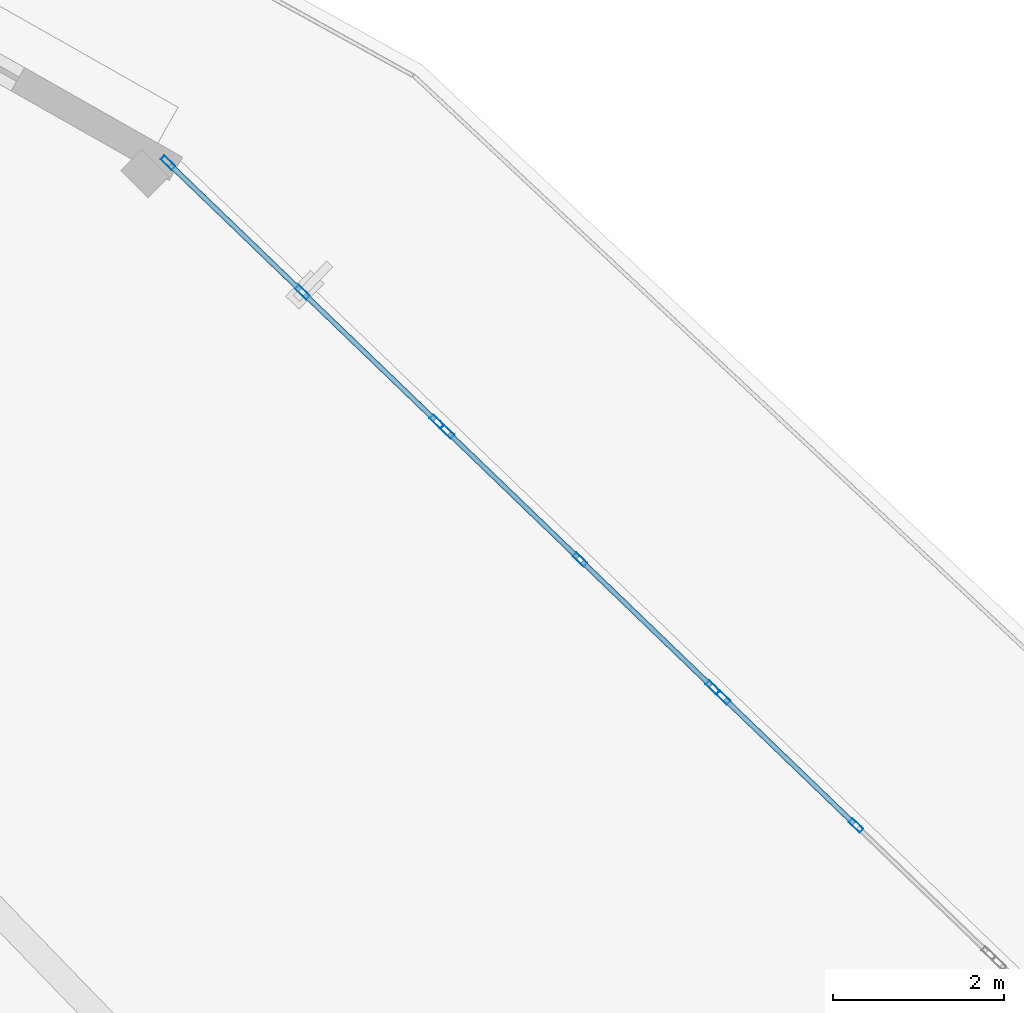
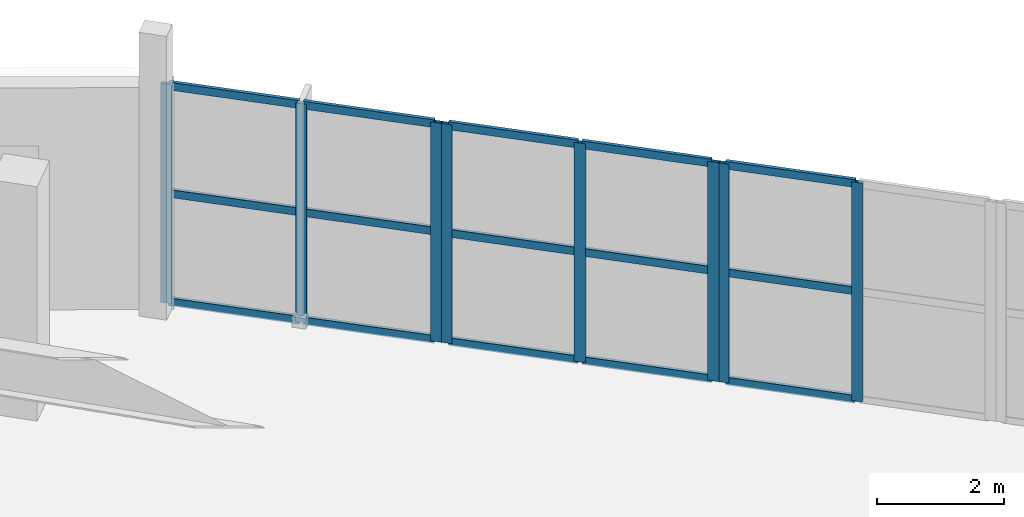
# One storey, part 71 of 123: 23 members, 3 elements without a shape of their own.
"""IFC4 building model written with IfcOpenShell, lengths in metres."""

import ifcopenshell
import ifcopenshell.guid

model = None  # the IFC model being written
_history = None  # IfcOwnerHistory: only IFC2X3 demands one
_inside = {}  # id of a spatial element -> (the spatial element, [elements in it])
_under = {}  # id of a project, library or spatial element -> (it, [spatial elements below it])
_declared = {}  # id of a project -> (the project, [libraries it declares])
_typed = {}  # id of a type object -> (the type object, [elements of that type])
_made_of = {}  # id of a material, layer set ... -> (it, [elements and type objects made of it])


def new_model(schema):
    """Start an empty IFC model of exactly this schema.

    Asked for "IFC4X3", IfcOpenShell would pick the latest addendum, in which some entities
    have other attributes; the version numbers below select the first issue.
    IFC2X3 requires an IfcOwnerHistory on every rooted entity: one is made here for all.
    """
    global model, _history
    if schema == "IFC4X3":
        model = ifcopenshell.file(schema_version=(4, 3, 0, 0))
    else:
        model = ifcopenshell.file(schema=schema)
    _inside.clear()
    _under.clear()
    _declared.clear()
    _typed.clear()
    _made_of.clear()
    _history = None
    if model.schema == "IFC2X3":
        org = make("IfcOrganization", Name="unknown")
        user = make(
            "IfcPersonAndOrganization",
            ThePerson=make("IfcPerson", FamilyName="unknown"),
            TheOrganization=org,
        )
        app = make(
            "IfcApplication",
            ApplicationDeveloper=org,
            Version="unknown",
            ApplicationFullName="unknown",
            ApplicationIdentifier="unknown",
        )
        _history = make(
            "IfcOwnerHistory",
            OwningUser=user,
            OwningApplication=app,
            ChangeAction="ADDED",
            CreationDate=0,
        )
    return model


def make(cls, **values):
    """One entity of the class cls with the attributes given. An attribute that is None is left unset."""
    return model.create_entity(
        cls, **{name: value for name, value in values.items() if value is not None}
    )


def rooted(cls, **values):
    """An entity with a GlobalId (a new one), such as an element, a storey or a relation."""
    return make(cls, GlobalId=ifcopenshell.guid.new(), OwnerHistory=_history, **values)


def si_unit(unit_type, name, prefix=None):
    """IfcSIUnit, for example si_unit("LENGTHUNIT", "METRE", prefix="MILLI")."""
    return make("IfcSIUnit", UnitType=unit_type, Prefix=prefix, Name=name)


def assignment(units):
    """IfcUnitAssignment: the units of a project."""
    return None if units is None else make("IfcUnitAssignment", Units=units)


def point(xyz):
    """IfcCartesianPoint."""
    return None if xyz is None else make("IfcCartesianPoint", Coordinates=xyz)


def direction(xyz):
    """IfcDirection."""
    return None if xyz is None else make("IfcDirection", DirectionRatios=xyz)


def frame(location, z_axis=None, x_axis=None):
    """IfcAxis2Placement3D, a coordinate frame: its origin and axes. An axis left out is left unset."""
    return make(
        "IfcAxis2Placement3D",
        Location=point(location),
        Axis=direction(z_axis),
        RefDirection=direction(x_axis),
    )


def frame_2d(location, x_axis=None):
    """IfcAxis2Placement2D, a coordinate frame in the plane: its origin and x axis."""
    return make(
        "IfcAxis2Placement2D", Location=point(location), RefDirection=direction(x_axis)
    )


def origin():
    """The frame at (0, 0, 0) with its axes left unset."""
    return frame((0.0, 0.0, 0.0))


def origin_2d():
    """The frame at (0, 0) in the plane with its x axis left unset."""
    return frame_2d((0.0, 0.0))


def place(relative_to, where):
    """IfcLocalPlacement: puts the frame where relative to a parent placement (None: the world)."""
    return make(
        "IfcLocalPlacement", PlacementRelTo=relative_to, RelativePlacement=where
    )


def context(
    kind, dimensions, precision=None, world=None, true_north=None, identifier=None
):
    """IfcGeometricRepresentationContext, for example the 3D "Model" context."""
    return make(
        "IfcGeometricRepresentationContext",
        ContextIdentifier=identifier,
        ContextType=kind,
        CoordinateSpaceDimension=dimensions,
        Precision=precision,
        WorldCoordinateSystem=world,
        TrueNorth=true_north,
    )


def subcontext(parent, identifier, kind, view, scale=None):
    """IfcGeometricRepresentationSubContext, for example "Body" below "Model"."""
    return make(
        "IfcGeometricRepresentationSubContext",
        ContextIdentifier=identifier,
        ContextType=kind,
        ParentContext=parent,
        TargetScale=scale,
        TargetView=view,
    )


def project(units=None, contexts=None):
    """IfcProject with its units and contexts."""
    return rooted(
        "IfcProject",
        Name="project",
        RepresentationContexts=contexts,
        UnitsInContext=assignment(units),
    )


def spatial(cls, under=None, at=None, **own):
    """A site, building, storey or space (cls), placed at a placement, below another one or the project."""
    s = rooted(cls, ObjectPlacement=at, **own)
    if under is not None:
        _under.setdefault(under.id(), (under, []))[1].append(s)
    return s


def profile(cls, at=None, kind="AREA", **sizes):
    """A parametric profile (cls). Its sizes go by their IFC names, for example OverallWidth=200.0."""
    return make(cls, ProfileType=kind, Position=at, **sizes)


def hollow_rectangle(**sizes):
    """IfcRectangleHollowProfileDef."""
    return profile("IfcRectangleHollowProfileDef", **sizes)


def extrude(swept, where, along, depth):
    """IfcExtrudedAreaSolid: the profile swept, set in the frame where, extruded along a direction by depth."""
    return make(
        "IfcExtrudedAreaSolid",
        SweptArea=swept,
        Position=where,
        ExtrudedDirection=direction(along),
        Depth=depth,
    )


def shape(context_of_items, identifier, shape_type, items):
    """IfcShapeRepresentation: the items that make up one representation, for example the "Body"."""
    return make(
        "IfcShapeRepresentation",
        ContextOfItems=context_of_items,
        RepresentationIdentifier=identifier,
        RepresentationType=shape_type,
        Items=items,
    )


def material(Name=None, Category=None):
    """IfcMaterial."""
    return make("IfcMaterial", Name=Name, Category=Category)


def layer(
    of_material, thickness, ventilated=None, Name=None, Category=None, Priority=None
):
    """IfcMaterialLayer: one layer of a wall or slab, of a material (None: an air gap)."""
    return make(
        "IfcMaterialLayer",
        Material=of_material,
        LayerThickness=thickness,
        IsVentilated=ventilated,
        Name=Name,
        Category=Category,
        Priority=Priority,
    )


def layer_set(layers, Name=None):
    """IfcMaterialLayerSet."""
    return make("IfcMaterialLayerSet", MaterialLayers=layers, LayerSetName=Name)


def material_profile(
    of_material, cross_section, Name=None, Category=None, Priority=None
):
    """IfcMaterialProfile: a cross section and its material."""
    return make(
        "IfcMaterialProfile",
        Name=Name,
        Material=of_material,
        Profile=cross_section,
        Priority=Priority,
        Category=Category,
    )


def profile_set(profiles, Name=None, composite=None):
    """IfcMaterialProfileSet."""
    return make(
        "IfcMaterialProfileSet",
        Name=Name,
        MaterialProfiles=profiles,
        CompositeProfile=composite,
    )


def made_of(thing, what):
    """Note that an element or type object is made of a material, layer set ...; save() writes the relation."""
    if what is not None:
        _made_of.setdefault(what.id(), (what, []))[1].append(thing)
    return thing


def type_object(cls, material=None, **own):
    """A type object (cls), such as IfcWallType, which elements share."""
    return made_of(rooted(cls, **own), material)


def element(
    cls,
    number,
    at=None,
    inside=None,
    cuts=None,
    type_object=None,
    material=None,
    context=None,
    identifier="Body",
    shape_type=None,
    held_by="IfcProductDefinitionShape",
    body=None,
    shapes=None,
    **own,
):
    """One element of the class cls, such as IfcWall. Its Tag is "e" and its number.

    at: its placement. inside: the storey or other place that contains it. cuts: it is an
    opening in that element (IfcRelVoidsElement). A single representation is given by context,
    identifier, shape_type and body (its items); several are given by shapes. held_by: the class
    of the entity that holds the representations. save() writes the other relations.
    """
    e = rooted(cls, Tag="e%d" % number, ObjectPlacement=at, **own)
    if body is not None:
        shapes = [shape(context, identifier, shape_type, body)]
    if shapes is not None:
        e.Representation = make(held_by, Representations=shapes)
    if inside is not None:
        _inside.setdefault(inside.id(), (inside, []))[1].append(e)
    if cuts is not None:
        rooted(
            "IfcRelVoidsElement", RelatingBuildingElement=cuts, RelatedOpeningElement=e
        )
    if type_object is not None:
        _typed.setdefault(type_object.id(), (type_object, []))[1].append(e)
    return made_of(e, material)


def aggregate(whole, parts):
    """IfcRelAggregates: a whole, such as a stair, and the parts it consists of."""
    return rooted("IfcRelAggregates", RelatingObject=whole, RelatedObjects=parts)


def save(model, path):
    """Write the relations noted so far, then the file.

    IfcRelAggregates (storeys below a building ...), IfcRelContainedInSpatialStructure (elements
    in a storey), IfcRelDefinesByType, IfcRelAssociatesMaterial and IfcRelDeclares: one each for
    every whole, place, type object, material and project.
    """
    for whole, parts in _under.values():
        aggregate(whole, parts)
    for where, things in _inside.values():
        rooted(
            "IfcRelContainedInSpatialStructure",
            RelatedElements=things,
            RelatingStructure=where,
        )
    for kind, things in _typed.values():
        rooted("IfcRelDefinesByType", RelatedObjects=things, RelatingType=kind)
    for what, things in _made_of.values():
        rooted("IfcRelAssociatesMaterial", RelatedObjects=things, RelatingMaterial=what)
    for by, libraries in _declared.values():
        rooted("IfcRelDeclares", RelatingContext=by, RelatedDefinitions=libraries)
    model.write(path)


model = new_model("IFC4")

# Units and contexts
model_context = context("Model", 3, precision=1e-05, world=origin(), true_north=direction((0.0, 1.0)))
body_context = subcontext(model_context, "Body", "Model", "MODEL_VIEW")
ifc_project = project(units=[si_unit("LENGTHUNIT", "METRE"), si_unit("AREAUNIT", "SQUARE_METRE"), si_unit("VOLUMEUNIT", "CUBIC_METRE"), si_unit("PLANEANGLEUNIT", "RADIAN"), si_unit("MASSUNIT", "GRAM", prefix="KILO")], contexts=[model_context])

# Site, building, storey
site_placement = place(None, origin())
site = spatial("IfcSite", under=ifc_project, at=site_placement, CompositionType="ELEMENT")
building_placement = place(site_placement, origin())
building = spatial("IfcBuilding", under=site, at=building_placement, Name="Kalgoora Escarpment Arena", CompositionType="ELEMENT")
storey_placement = place(building_placement, frame((0.0, 0.0, 9.89990234375)))
storey = spatial("IfcBuildingStorey", under=building, at=storey_placement, Name="L02", CompositionType="ELEMENT", Elevation=9.89990234375)

# Curtain wall, members
ifc_material_1 = material(Name=" Champagne anodised aluminium & double-glazed low-E", Category="aluminium")
ifc_layer_1 = layer(ifc_material_1, 0.166015625)
ifc_layer_set_1 = layer_set([ifc_layer_1], Name="CW-UNIT-04")
curtain_wall_type_1 = type_object("IfcCurtainWallType", Name="CW-UNIT-04", PredefinedType="NOTDEFINED", material=ifc_layer_set_1)
curtain_wall_1_placement = place(storey_placement, origin())
curtain_wall_1 = element("IfcCurtainWall", 1, at=curtain_wall_1_placement, inside=storey, type_object=curtain_wall_type_1, Name="L02 unitised facade curtain wall 083", PredefinedType="NOTDEFINED")
ifc_material_2 = material(Name="Anodised aluminium 6063-T6", Category="aluminium")
ifc_material_profile_1 = material_profile(ifc_material_2, hollow_rectangle(XDim=0.06494140625, YDim=0.179931640625, WallThickness=0.00390625, at=origin_2d()))
ifc_profile_set_1 = profile_set([ifc_material_profile_1], Name="Anodised aluminium 6063-T6")
member_type_1 = type_object("IfcMemberType", Name="MEM-CW-MULL-180", PredefinedType="MULLION", material=ifc_profile_set_1)
member_1_placement = place(storey_placement, frame((150.937744140625, 107.11865234375, 0.02001953125), z_axis=(0.0, 0.0, 1.0), x_axis=(0.693748943001, 0.720216914606, 0.0)))
member_1 = element("IfcMember", 2, at=member_1_placement, type_object=member_type_1, Name="CW-04 mullion 1", PredefinedType="MULLION", context=body_context, shape_type="SweptSolid", body=[
    extrude(hollow_rectangle(XDim=0.06494140625, YDim=0.179931640625, WallThickness=0.00390625, at=origin_2d()), origin(), (0.0, 0.0, 1.0), 4.205078125),
])
member_2_placement = place(storey_placement, frame((152.514404296875, 105.599853515625, 0.02001953125), z_axis=(0.0, 0.0, 1.0), x_axis=(0.693748943001, 0.720216914606, 0.0)))
member_2 = element("IfcMember", 3, at=member_2_placement, type_object=member_type_1, Name="CW-04 mullion 2", PredefinedType="MULLION", context=body_context, shape_type="SweptSolid", body=[
    extrude(hollow_rectangle(XDim=0.06494140625, YDim=0.179931640625, WallThickness=0.00390625, at=origin_2d()), origin(), (0.0, 0.0, 1.0), 4.205078125),
])
member_3_placement = place(storey_placement, frame((154.0908203125, 104.081298828125, 0.02001953125), z_axis=(0.0, 0.0, 1.0), x_axis=(0.693748943001, 0.720216914606, 0.0)))
member_3 = element("IfcMember", 4, at=member_3_placement, type_object=member_type_1, Name="CW-04 mullion 3", PredefinedType="MULLION", context=body_context, shape_type="SweptSolid", body=[
    extrude(hollow_rectangle(XDim=0.06494140625, YDim=0.179931640625, WallThickness=0.00390625, at=origin_2d()), origin(), (0.0, 0.0, 1.0), 4.205078125),
])

ifc_material_3 = material(Name=" Champagne anodised aluminium & double-glazed low-E", Category="aluminium")
ifc_layer_2 = layer(ifc_material_3, 0.14990234375)
ifc_layer_set_2 = layer_set([ifc_layer_2], Name="CW-UNIT-05")
curtain_wall_type_2 = type_object("IfcCurtainWallType", Name="CW-UNIT-05", PredefinedType="NOTDEFINED", material=ifc_layer_set_2)
curtain_wall_2_placement = place(storey_placement, origin())
curtain_wall_2 = element("IfcCurtainWall", 5, at=curtain_wall_2_placement, inside=storey, type_object=curtain_wall_type_2, Name="L02 unitised facade curtain wall 084", PredefinedType="NOTDEFINED")
member_4_placement = place(storey_placement, frame((154.209716796875, 103.966796875, 0.02001953125), z_axis=(0.0, 0.0, 1.0), x_axis=(0.693746227289, 0.720219530506, 0.0)))
member_4 = element("IfcMember", 6, at=member_4_placement, type_object=member_type_1, Name="CW-05 mullion 1", PredefinedType="MULLION", context=body_context, shape_type="SweptSolid", body=[
    extrude(hollow_rectangle(XDim=0.06494140625, YDim=0.179931640625, WallThickness=0.00390625, at=origin_2d()), origin(), (0.0, 0.0, 1.0), 4.205078125),
])
member_5_placement = place(storey_placement, frame((155.768310546875, 102.46533203125, 0.02001953125), z_axis=(0.0, 0.0, 1.0), x_axis=(0.693746227289, 0.720219530506, 0.0)))
member_5 = element("IfcMember", 7, at=member_5_placement, type_object=member_type_1, Name="CW-05 mullion 2", PredefinedType="MULLION", context=body_context, shape_type="SweptSolid", body=[
    extrude(hollow_rectangle(XDim=0.06494140625, YDim=0.179931640625, WallThickness=0.00390625, at=origin_2d()), origin(), (0.0, 0.0, 1.0), 4.205078125),
])
member_6_placement = place(storey_placement, frame((157.326904296875, 100.964111328125, 0.02001953125), z_axis=(0.0, 0.0, 1.0), x_axis=(0.693746227289, 0.720219530506, 0.0)))
member_6 = element("IfcMember", 8, at=member_6_placement, type_object=member_type_1, Name="CW-05 mullion 3", PredefinedType="MULLION", context=body_context, shape_type="SweptSolid", body=[
    extrude(hollow_rectangle(XDim=0.06494140625, YDim=0.179931640625, WallThickness=0.00390625, at=origin_2d()), origin(), (0.0, 0.0, 1.0), 4.205078125),
])

ifc_material_4 = material(Name=" Champagne anodised aluminium & double-glazed low-E", Category="aluminium")
ifc_layer_3 = layer(ifc_material_4, 0.154052734375)
ifc_layer_set_3 = layer_set([ifc_layer_3], Name="CW-UNIT-06")
curtain_wall_type_3 = type_object("IfcCurtainWallType", Name="CW-UNIT-06", PredefinedType="NOTDEFINED", material=ifc_layer_set_3)
curtain_wall_3_placement = place(storey_placement, origin())
curtain_wall_3 = element("IfcCurtainWall", 9, at=curtain_wall_3_placement, inside=storey, type_object=curtain_wall_type_3, Name="L02 unitised facade curtain wall 085", PredefinedType="NOTDEFINED")
member_7_placement = place(storey_placement, frame((157.44580078125, 100.849853515625, 0.02001953125), z_axis=(0.0, 0.0, 1.0), x_axis=(0.693746227289, 0.720219530506, 0.0)))
member_7 = element("IfcMember", 10, at=member_7_placement, type_object=member_type_1, Name="CW-06 mullion 1", PredefinedType="MULLION", context=body_context, shape_type="SweptSolid", body=[
    extrude(hollow_rectangle(XDim=0.06494140625, YDim=0.179931640625, WallThickness=0.00390625, at=origin_2d()), origin(), (0.0, 0.0, 1.0), 4.205078125),
])
member_8_placement = place(storey_placement, frame((159.00439453125, 99.348388671875, 0.02001953125), z_axis=(0.0, 0.0, 1.0), x_axis=(0.693746227289, 0.720219530506, 0.0)))
member_8 = element("IfcMember", 11, at=member_8_placement, type_object=member_type_1, Name="CW-06 mullion 2", PredefinedType="MULLION", context=body_context, shape_type="SweptSolid", body=[
    extrude(hollow_rectangle(XDim=0.06494140625, YDim=0.179931640625, WallThickness=0.00390625, at=origin_2d()), origin(), (0.0, 0.0, 1.0), 4.205078125),
])

# Member
ifc_material_5 = material(Name="Anodised aluminium 6063-T6", Category="aluminium")
ifc_material_profile_2 = material_profile(ifc_material_5, hollow_rectangle(XDim=0.06005859375, YDim=0.14990234375, WallThickness=0.00341796875, at=origin_2d()))
ifc_profile_set_2 = profile_set([ifc_material_profile_2], Name="Anodised aluminium 6063-T6")
member_type_2 = type_object("IfcMemberType", Name="MEM-CW-TRAN-150", PredefinedType="USERDEFINED", material=ifc_profile_set_2)
member_9_placement = place(storey_placement, frame((150.961181640625, 107.095947265625, 0.050048828125), z_axis=(0.72025852373, -0.69370574381, 0.0), x_axis=(0.69370574381, 0.72025852373, 0.0)))
member_9 = element("IfcMember", 12, at=member_9_placement, type_object=member_type_2, Name="CW-04 transom 1.1", ObjectType="TRANSOM", PredefinedType="USERDEFINED", context=body_context, shape_type="SweptSolid", body=[
    extrude(hollow_rectangle(XDim=0.06005859375, YDim=0.14990234375, WallThickness=0.00341796875, at=origin_2d()), origin(), (0.0, 0.0, 1.0), 2.1240234375),
])

member_10_placement = place(storey_placement, frame((150.961181640625, 107.095947265625, 2.132568359375), z_axis=(0.72025852373, -0.69370574381, 0.0), x_axis=(0.69370574381, 0.72025852373, 0.0)))
member_10 = element("IfcMember", 13, at=member_10_placement, type_object=member_type_2, Name="CW-04 transom 1.2", ObjectType="TRANSOM", PredefinedType="USERDEFINED", context=body_context, shape_type="SweptSolid", body=[
    extrude(hollow_rectangle(XDim=0.06005859375, YDim=0.14990234375, WallThickness=0.00341796875, at=origin_2d()), origin(), (0.0, 0.0, 1.0), 2.1240234375),
])

member_11_placement = place(storey_placement, frame((150.961181640625, 107.095947265625, 4.195068359375), z_axis=(0.72025852373, -0.69370574381, 0.0), x_axis=(0.69370574381, 0.72025852373, 0.0)))
member_11 = element("IfcMember", 14, at=member_11_placement, type_object=member_type_2, Name="CW-04 transom 1.3", ObjectType="TRANSOM", PredefinedType="USERDEFINED", context=body_context, shape_type="SweptSolid", body=[
    extrude(hollow_rectangle(XDim=0.06005859375, YDim=0.14990234375, WallThickness=0.00341796875, at=origin_2d()), origin(), (0.0, 0.0, 1.0), 2.1240234375),
])

member_12_placement = place(storey_placement, frame((152.53759765625, 105.577392578125, 0.050048828125), z_axis=(0.720201092814, -0.693765368053, 0.0), x_axis=(0.693765368053, 0.720201092814, 0.0)))
member_12 = element("IfcMember", 15, at=member_12_placement, type_object=member_type_2, Name="CW-04 transom 2.1", ObjectType="TRANSOM", PredefinedType="USERDEFINED", context=body_context, shape_type="SweptSolid", body=[
    extrude(hollow_rectangle(XDim=0.06005859375, YDim=0.14990234375, WallThickness=0.00341796875, at=origin_2d()), origin(), (0.0, 0.0, 1.0), 2.1240234375),
])

member_13_placement = place(storey_placement, frame((152.53759765625, 105.577392578125, 2.132568359375), z_axis=(0.720201092814, -0.693765368053, 0.0), x_axis=(0.693765368053, 0.720201092814, 0.0)))
member_13 = element("IfcMember", 16, at=member_13_placement, type_object=member_type_2, Name="CW-04 transom 2.2", ObjectType="TRANSOM", PredefinedType="USERDEFINED", context=body_context, shape_type="SweptSolid", body=[
    extrude(hollow_rectangle(XDim=0.06005859375, YDim=0.14990234375, WallThickness=0.00341796875, at=origin_2d()), origin(), (0.0, 0.0, 1.0), 2.1240234375),
])

member_14_placement = place(storey_placement, frame((152.53759765625, 105.577392578125, 4.195068359375), z_axis=(0.720201092814, -0.693765368053, 0.0), x_axis=(0.693765368053, 0.720201092814, 0.0)))
member_14 = element("IfcMember", 17, at=member_14_placement, type_object=member_type_2, Name="CW-04 transom 2.3", ObjectType="TRANSOM", PredefinedType="USERDEFINED", context=body_context, shape_type="SweptSolid", body=[
    extrude(hollow_rectangle(XDim=0.06005859375, YDim=0.14990234375, WallThickness=0.00341796875, at=origin_2d()), origin(), (0.0, 0.0, 1.0), 2.1240234375),
])

aggregate(curtain_wall_1, [member_1, member_2, member_3, member_9, member_10, member_11, member_12, member_13, member_14])

member_15_placement = place(storey_placement, frame((154.233154296875, 103.944091796875, 0.050048828125), z_axis=(0.720242718677, -0.693722153454, 0.0), x_axis=(0.693722153454, 0.720242718677, 0.0)))
member_15 = element("IfcMember", 18, at=member_15_placement, type_object=member_type_2, Name="CW-05 transom 1.1", ObjectType="TRANSOM", PredefinedType="USERDEFINED", context=body_context, shape_type="SweptSolid", body=[
    extrude(hollow_rectangle(XDim=0.06005859375, YDim=0.14990234375, WallThickness=0.00341796875, at=origin_2d()), origin(), (0.0, 0.0, 1.0), 2.098876953125),
])

member_16_placement = place(storey_placement, frame((154.233154296875, 103.944091796875, 2.132568359375), z_axis=(0.720242718677, -0.693722153454, 0.0), x_axis=(0.693722153454, 0.720242718677, 0.0)))
member_16 = element("IfcMember", 19, at=member_16_placement, type_object=member_type_2, Name="CW-05 transom 1.2", ObjectType="TRANSOM", PredefinedType="USERDEFINED", context=body_context, shape_type="SweptSolid", body=[
    extrude(hollow_rectangle(XDim=0.06005859375, YDim=0.14990234375, WallThickness=0.00341796875, at=origin_2d()), origin(), (0.0, 0.0, 1.0), 2.098876953125),
])

member_17_placement = place(storey_placement, frame((154.233154296875, 103.944091796875, 4.195068359375), z_axis=(0.720242718677, -0.693722153454, 0.0), x_axis=(0.693722153454, 0.720242718677, 0.0)))
member_17 = element("IfcMember", 20, at=member_17_placement, type_object=member_type_2, Name="CW-05 transom 1.3", ObjectType="TRANSOM", PredefinedType="USERDEFINED", context=body_context, shape_type="SweptSolid", body=[
    extrude(hollow_rectangle(XDim=0.06005859375, YDim=0.14990234375, WallThickness=0.00341796875, at=origin_2d()), origin(), (0.0, 0.0, 1.0), 2.098876953125),
])

member_18_placement = place(storey_placement, frame((155.791748046875, 102.44287109375, 0.050048828125), z_axis=(0.720184602611, -0.693782486203, 0.0), x_axis=(0.693782486203, 0.720184602611, 0.0)))
member_18 = element("IfcMember", 21, at=member_18_placement, type_object=member_type_2, Name="CW-05 transom 2.1", ObjectType="TRANSOM", PredefinedType="USERDEFINED", context=body_context, shape_type="SweptSolid", body=[
    extrude(hollow_rectangle(XDim=0.06005859375, YDim=0.14990234375, WallThickness=0.00341796875, at=origin_2d()), origin(), (0.0, 0.0, 1.0), 2.09912109375),
])

member_19_placement = place(storey_placement, frame((155.791748046875, 102.44287109375, 2.132568359375), z_axis=(0.720184602611, -0.693782486203, 0.0), x_axis=(0.693782486203, 0.720184602611, 0.0)))
member_19 = element("IfcMember", 22, at=member_19_placement, type_object=member_type_2, Name="CW-05 transom 2.2", ObjectType="TRANSOM", PredefinedType="USERDEFINED", context=body_context, shape_type="SweptSolid", body=[
    extrude(hollow_rectangle(XDim=0.06005859375, YDim=0.14990234375, WallThickness=0.00341796875, at=origin_2d()), origin(), (0.0, 0.0, 1.0), 2.09912109375),
])

member_20_placement = place(storey_placement, frame((155.791748046875, 102.44287109375, 4.195068359375), z_axis=(0.720184602611, -0.693782486203, 0.0), x_axis=(0.693782486203, 0.720184602611, 0.0)))
member_20 = element("IfcMember", 23, at=member_20_placement, type_object=member_type_2, Name="CW-05 transom 2.3", ObjectType="TRANSOM", PredefinedType="USERDEFINED", context=body_context, shape_type="SweptSolid", body=[
    extrude(hollow_rectangle(XDim=0.06005859375, YDim=0.14990234375, WallThickness=0.00341796875, at=origin_2d()), origin(), (0.0, 0.0, 1.0), 2.09912109375),
])

aggregate(curtain_wall_2, [member_4, member_5, member_6, member_15, member_16, member_17, member_18, member_19, member_20])

member_21_placement = place(storey_placement, frame((157.468994140625, 100.8271484375, 0.050048828125), z_axis=(0.720298689859, -0.693664037836, 0.0), x_axis=(0.693664037836, 0.720298689859, 0.0)))
member_21 = element("IfcMember", 24, at=member_21_placement, type_object=member_type_2, Name="CW-06 transom 1.1", ObjectType="TRANSOM", PredefinedType="USERDEFINED", context=body_context, shape_type="SweptSolid", body=[
    extrude(hollow_rectangle(XDim=0.06005859375, YDim=0.14990234375, WallThickness=0.00341796875, at=origin_2d()), origin(), (0.0, 0.0, 1.0), 2.09912109375),
])

member_22_placement = place(storey_placement, frame((157.468994140625, 100.8271484375, 2.132568359375), z_axis=(0.720298689859, -0.693664037836, 0.0), x_axis=(0.693664037836, 0.720298689859, 0.0)))
member_22 = element("IfcMember", 25, at=member_22_placement, type_object=member_type_2, Name="CW-06 transom 1.2", ObjectType="TRANSOM", PredefinedType="USERDEFINED", context=body_context, shape_type="SweptSolid", body=[
    extrude(hollow_rectangle(XDim=0.06005859375, YDim=0.14990234375, WallThickness=0.00341796875, at=origin_2d()), origin(), (0.0, 0.0, 1.0), 2.09912109375),
])

member_23_placement = place(storey_placement, frame((157.468994140625, 100.8271484375, 4.195068359375), z_axis=(0.720298689859, -0.693664037836, 0.0), x_axis=(0.693664037836, 0.720298689859, 0.0)))
member_23 = element("IfcMember", 26, at=member_23_placement, type_object=member_type_2, Name="CW-06 transom 1.3", ObjectType="TRANSOM", PredefinedType="USERDEFINED", context=body_context, shape_type="SweptSolid", body=[
    extrude(hollow_rectangle(XDim=0.06005859375, YDim=0.14990234375, WallThickness=0.00341796875, at=origin_2d()), origin(), (0.0, 0.0, 1.0), 2.09912109375),
])

aggregate(curtain_wall_3, [member_7, member_8, member_21, member_22, member_23])

save(model, "model.ifc")
